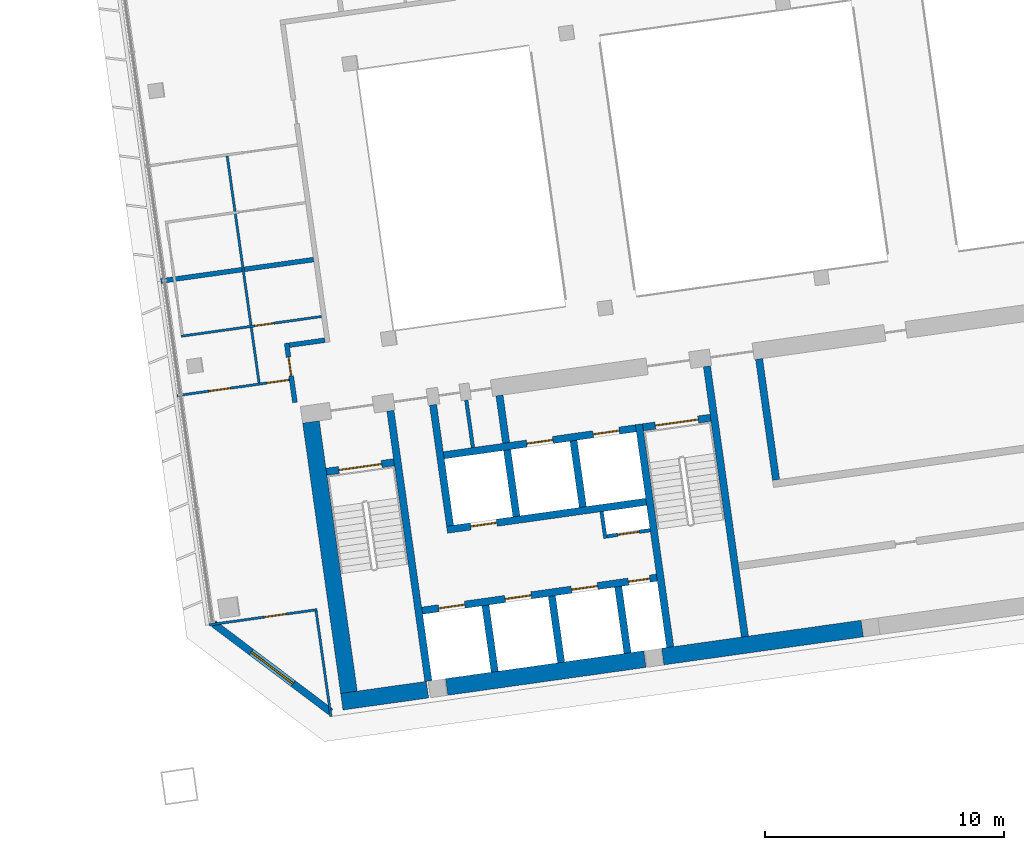
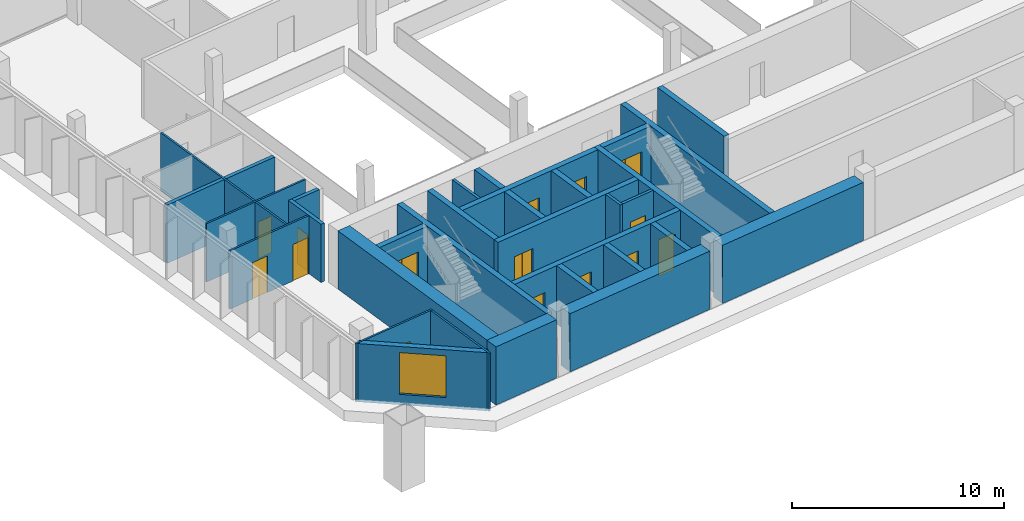
# One storey, part 20 of 26: 32 walls, 15 doors, 1 window, 16 openings.
"""IFC4 building model written with IfcOpenShell, lengths in metres."""

from ifc_helpers import new_model, si_unit, direction, frame, frame_2d, origin, place, context, subcontext, project, spatial, rectangle, extrude, material, layer, layer_set, type_object, element, fill, save


model = new_model("IFC4")

# Units and contexts
model_context = context("Model", 3, precision=1e-05, world=origin(), true_north=direction((0.0, 1.0)))
body_context = subcontext(model_context, "Body", "Model", "MODEL_VIEW")
ifc_project = project(units=[si_unit("LENGTHUNIT", "METRE"), si_unit("AREAUNIT", "SQUARE_METRE"), si_unit("VOLUMEUNIT", "CUBIC_METRE"), si_unit("PLANEANGLEUNIT", "RADIAN"), si_unit("MASSUNIT", "GRAM", prefix="KILO")], contexts=[model_context])

# Site, building, storey
site_placement = place(None, origin())
site = spatial("IfcSite", under=ifc_project, at=site_placement, CompositionType="ELEMENT")
building_placement = place(site_placement, origin())
building = spatial("IfcBuilding", under=site, at=building_placement, Name="Mirante Cascada Hotel Towers", CompositionType="ELEMENT")
storey_placement = place(building_placement, frame((0.0, 0.0, 168.8)))
storey = spatial("IfcBuildingStorey", under=building, at=storey_placement, Name="L39", CompositionType="ELEMENT", Elevation=168.8)

# Walls
ifc_material_1 = material(Name="Fire-rated plasterboard on metal studs")
ifc_layer_1 = layer(ifc_material_1, 0.2)
ifc_layer_set_1 = layer_set([ifc_layer_1], Name="Compartment wall 200 EI 120")
wall_type_1 = type_object("IfcWallType", Name="Compartment wall 200 EI 120", PredefinedType="PARTITIONING", material=ifc_layer_set_1)
wall_1_placement = place(storey_placement, frame((36.5138, -4.518, 0.0), z_axis=(0.0, 0.0, 1.0), x_axis=(-0.9902735, -0.1391343, 0.0)))
element("IfcWall", 1, at=wall_1_placement, inside=storey, type_object=wall_type_1, Name="Wall 2-L39-03", PredefinedType="PARTITIONING", context=body_context, shape_type="SweptSolid", body=[
    extrude(rectangle(XDim=1.5, YDim=0.2, at=frame_2d((0.75, 0.0))), origin(), (0.0, 0.0, 1.0), 3.35),
])
wall_2_placement = place(storey_placement, frame((36.0406, -1.151, 0.0), z_axis=(0.0, 0.0, 1.0), x_axis=(-0.990267, -0.139181, 0.0)))
element("IfcWall", 2, at=wall_2_placement, inside=storey, type_object=wall_type_1, Name="Wall 2-L39-07", PredefinedType="PARTITIONING", context=body_context, shape_type="SweptSolid", body=[
    extrude(rectangle(XDim=6.4377, YDim=0.2, at=frame_2d((3.2189, 0.0))), origin(), (0.0, 0.0, 1.0), 3.35),
])

# Wall, opening, door
wall_3_placement = place(storey_placement, frame((35.2634, -7.1173, 0.0), z_axis=(0.0, 0.0, 1.0), x_axis=(-0.1391586, 0.9902701, 0.0)))
wall_3 = element("IfcWall", 3, at=wall_3_placement, inside=storey, type_object=wall_type_1, Name="Wall 2-L39-28", PredefinedType="PARTITIONING", context=body_context, shape_type="SweptSolid", body=[
    extrude(rectangle(XDim=2.5, YDim=0.2, at=frame_2d((1.25, 0.0))), origin(), (0.0, 0.0, 1.0), 3.35),
])
opening_1_placement = place(wall_3_placement, frame((1.1167, 0.0, 0.0)))
opening_1 = element("IfcOpeningElement", 4, at=opening_1_placement, cuts=wall_3, Name="Opening D2-L39-27", PredefinedType="OPENING", context=body_context, shape_type="SweptSolid", body=[
    extrude(rectangle(XDim=0.8, YDim=2.1, at=frame_2d((0.4, 1.05))), frame((0.0, 0.1, 0.0), z_axis=(0.0, -1.0, 0.0), x_axis=(1.0, 0.0, 0.0)), (0.0, 0.0, 1.0), 0.2),
])
ifc_material_2 = material(Name="Fire-rated timber door leaf", Category="wood")
door_type_1 = type_object("IfcDoorType", Name="Bathroom door DG4 800x2100 EI 60", OperationType="SINGLE_SWING_LEFT", PredefinedType="DOOR", material=ifc_material_2)
door_1_placement = place(opening_1_placement, frame((0.8, 0.0, 0.0), z_axis=(0.0, 0.0, 1.0), x_axis=(-1.0, 0.0, 0.0)))
door_1 = element("IfcDoor", 5, at=door_1_placement, inside=storey, type_object=door_type_1, Name="Door D2-L39-27", OperationType="SINGLE_SWING_RIGHT", OverallHeight=2.1, OverallWidth=0.8, PredefinedType="DOOR", context=body_context, shape_type="SweptSolid", body=[
    extrude(rectangle(XDim=0.8, YDim=2.1, at=frame_2d((0.4, 1.05))), frame((0.0, 0.025, 0.0), z_axis=(0.0, -1.0, 0.0), x_axis=(1.0, 0.0, 0.0)), (0.0, 0.0, 1.0), 0.05),
])
fill(opening_1, door_1)

# Wall
ifc_material_3 = material(Name="Masonry block", Category="masonry")
ifc_layer_2 = layer(ifc_material_3, 0.15)
ifc_layer_set_2 = layer_set([ifc_layer_2], Name="Core room partition 150 block EI 30")
wall_type_2 = type_object("IfcWallType", Name="Core room partition 150 block EI 30", PredefinedType="PARTITIONING", material=ifc_layer_set_2)
wall_4_placement = place(storey_placement, frame((48.2295, -12.793, 0.0), z_axis=(0.0, 0.0, 1.0), x_axis=(-0.1391935, 0.9902652, 0.0)))
element("IfcWall", 6, at=wall_4_placement, inside=storey, type_object=wall_type_2, Name="Core wall partition T2 L39 2", PredefinedType="PARTITIONING", context=body_context, shape_type="SweptSolid", body=[
    extrude(rectangle(XDim=1.1251, YDim=0.15, at=frame_2d((0.5626, 0.0))), origin(), (0.0, 0.0, 1.0), 3.35),
])

# Wall, opening, door
wall_5_placement = place(storey_placement, frame((48.2933, -12.7083, 0.0), z_axis=(0.0, 0.0, 1.0), x_axis=(0.990268, 0.1391734, 0.0)))
wall_5 = element("IfcWall", 7, at=wall_5_placement, inside=storey, type_object=wall_type_2, Name="Core wall partition T2 L39 3", PredefinedType="PARTITIONING", context=body_context, shape_type="SweptSolid", body=[
    extrude(rectangle(XDim=1.8251, YDim=0.15, at=frame_2d((0.9126, 0.0))), origin(), (0.0, 0.0, 1.0), 3.35),
])
opening_2_placement = place(wall_5_placement, frame((0.4625, 0.0, 0.0)))
opening_2 = element("IfcOpeningElement", 8, at=opening_2_placement, cuts=wall_5, Name="Opening D2-39-C17", PredefinedType="OPENING", context=body_context, shape_type="SweptSolid", body=[
    extrude(rectangle(XDim=0.9, YDim=2.1, at=frame_2d((0.45, 1.05))), frame((0.0, 0.075, 0.0), z_axis=(0.0, -1.0, 0.0), x_axis=(1.0, 0.0, 0.0)), (0.0, 0.0, 1.0), 0.15),
])
ifc_material_4 = material(Name="Hollow metal fire door leaf")
door_type_2 = type_object("IfcDoorType", Name="Fire door 900x2100 FD60", OperationType="NOTDEFINED", PredefinedType="DOOR", material=ifc_material_4)
door_2_placement = place(opening_2_placement, frame((0.9, 0.0, 0.0), z_axis=(0.0, 0.0, 1.0), x_axis=(-1.0, 0.0, 0.0)))
door_2 = element("IfcDoor", 9, at=door_2_placement, inside=storey, type_object=door_type_2, Name="Riser door T2 L39 17", OperationType="SINGLE_SWING_RIGHT", OverallHeight=2.1, OverallWidth=0.9, PredefinedType="DOOR", context=body_context, shape_type="SweptSolid", body=[
    extrude(rectangle(XDim=0.9, YDim=2.1, at=frame_2d((0.45, 1.05))), frame((0.0, 0.025, 0.0), z_axis=(0.0, -1.0, 0.0), x_axis=(1.0, 0.0, 0.0)), (0.0, 0.0, 1.0), 0.05),
])
fill(opening_2, door_2)

# Walls
wall_6_placement = place(storey_placement, frame((42.6979, -9.0009, 0.0), z_axis=(0.0, 0.0, 1.0), x_axis=(-0.1391529, 0.9902709, 0.0)))
element("IfcWall", 10, at=wall_6_placement, inside=storey, type_object=wall_type_2, Name="Core wall partition T2 L39 4", PredefinedType="PARTITIONING", context=body_context, shape_type="SweptSolid", body=[
    extrude(rectangle(XDim=2.0, YDim=0.15, at=frame_2d((1.0, 0.0))), origin(), (0.0, 0.0, 1.0), 3.35),
])
ifc_material_5 = material(Name="Masonry block", Category="masonry")
ifc_layer_3 = layer(ifc_material_5, 0.3)
ifc_layer_set_3 = layer_set([ifc_layer_3], Name="Core wall 300 block EI 120")
wall_type_3 = type_object("IfcWallType", Name="Core wall 300 block EI 120", PredefinedType="PARTITIONING", material=ifc_layer_set_3)
wall_7_placement = place(storey_placement, frame((44.0843, -8.8061, 0.0), z_axis=(0.0, 0.0, 1.0), x_axis=(-0.1391951, 0.990265, 0.0)))
element("IfcWall", 11, at=wall_7_placement, inside=storey, type_object=wall_type_3, Name="Core wall partition T2 L39 1", PredefinedType="PARTITIONING", context=body_context, shape_type="SweptSolid", body=[
    extrude(rectangle(XDim=2.0001, YDim=0.3, at=frame_2d((1.0001, 0.0))), origin(), (0.0, 0.0, 1.0), 3.35),
])

# Wall, opening, door
ifc_material_6 = material(Name="Plasterboard on metal studs")
ifc_layer_4 = layer(ifc_material_6, 0.1)
ifc_layer_set_4 = layer_set([ifc_layer_4], Name="Partition 100")
wall_type_4 = type_object("IfcWallType", Name="Partition 100", PredefinedType="PARTITIONING", material=ifc_layer_set_4)
wall_8_placement = place(storey_placement, frame((36.1893, -15.7726, 0.0), z_axis=(0.0, 0.0, 1.0), x_axis=(-0.9902661, -0.1391871, 0.0)))
wall_8 = element("IfcWall", 12, at=wall_8_placement, inside=storey, type_object=wall_type_4, Name="Wall 2-L39-01", PredefinedType="PARTITIONING", context=body_context, shape_type="SweptSolid", body=[
    extrude(rectangle(XDim=4.55, YDim=0.1, at=frame_2d((2.275, 0.0))), origin(), (0.0, 0.0, 1.0), 3.35),
])
opening_3_placement = place(wall_8_placement, frame((1.3249, 0.0, 0.0)))
opening_3 = element("IfcOpeningElement", 13, at=opening_3_placement, cuts=wall_8, Name="Opening D2-L39-01", PredefinedType="OPENING", context=body_context, shape_type="SweptSolid", body=[
    extrude(rectangle(XDim=0.9, YDim=2.1, at=frame_2d((0.45, 1.05))), frame((0.0, 0.05, 0.0), z_axis=(0.0, -1.0, 0.0), x_axis=(1.0, 0.0, 0.0)), (0.0, 0.0, 1.0), 0.1),
])
ifc_material_7 = material(Name="Timber door leaf", Category="wood")
door_type_3 = type_object("IfcDoorType", Name="Room door DG3 900x2100", OperationType="SINGLE_SWING_LEFT", PredefinedType="DOOR", material=ifc_material_7)
door_3_placement = place(opening_3_placement, frame((0.9, 0.0, 0.0), z_axis=(0.0, 0.0, 1.0), x_axis=(-1.0, 0.0, 0.0)))
door_3 = element("IfcDoor", 14, at=door_3_placement, inside=storey, type_object=door_type_3, Name="Door D2-L39-01", OperationType="SINGLE_SWING_RIGHT", OverallHeight=2.1, OverallWidth=0.9, PredefinedType="DOOR", context=body_context, shape_type="SweptSolid", body=[
    extrude(rectangle(XDim=0.9, YDim=2.1, at=frame_2d((0.45, 1.05))), frame((0.0, 0.025, 0.0), z_axis=(0.0, -1.0, 0.0), x_axis=(1.0, 0.0, 0.0)), (0.0, 0.0, 1.0), 0.05),
])
fill(opening_3, door_3)

# Wall, openings, doors
wall_9_placement = place(storey_placement, frame((30.3383, -6.8333, 0.0), z_axis=(0.0, 0.0, 1.0), x_axis=(0.9902665, 0.139184, 0.0)))
wall_9 = element("IfcWall", 15, at=wall_9_placement, inside=storey, type_object=wall_type_4, Name="Wall 2-L39-02", PredefinedType="PARTITIONING", context=body_context, shape_type="SweptSolid", body=[
    extrude(rectangle(XDim=4.7376, YDim=0.1, at=frame_2d((2.3688, 0.0))), origin(), (0.0, 0.0, 1.0), 3.35),
])
opening_4_placement = place(wall_9_placement, frame((1.35, 0.0, 0.0)))
opening_4 = element("IfcOpeningElement", 16, at=opening_4_placement, cuts=wall_9, Name="Opening D2-L39-02", PredefinedType="OPENING", context=body_context, shape_type="SweptSolid", body=[
    extrude(rectangle(XDim=0.9, YDim=2.1, at=frame_2d((0.45, 1.05))), frame((0.0, 0.05, 0.0), z_axis=(0.0, -1.0, 0.0), x_axis=(1.0, 0.0, 0.0)), (0.0, 0.0, 1.0), 0.1),
])
opening_5_placement = place(wall_9_placement, frame((3.7877, 0.0, 0.0)))
opening_5 = element("IfcOpeningElement", 17, at=opening_5_placement, cuts=wall_9, Name="Opening D2-L39-03", PredefinedType="OPENING", context=body_context, shape_type="SweptSolid", body=[
    extrude(rectangle(XDim=0.9, YDim=2.1, at=frame_2d((0.45, 1.05))), frame((0.0, 0.05, 0.0), z_axis=(0.0, -1.0, 0.0), x_axis=(1.0, 0.0, 0.0)), (0.0, 0.0, 1.0), 0.1),
])
door_4_placement = place(opening_4_placement, frame((0.9, 0.0, 0.0), z_axis=(0.0, 0.0, 1.0), x_axis=(-1.0, 0.0, 0.0)))
door_4 = element("IfcDoor", 18, at=door_4_placement, inside=storey, type_object=door_type_3, Name="Door D2-L39-02", OperationType="SINGLE_SWING_RIGHT", OverallHeight=2.1, OverallWidth=0.9, PredefinedType="DOOR", context=body_context, shape_type="SweptSolid", body=[
    extrude(rectangle(XDim=0.9, YDim=2.1, at=frame_2d((0.45, 1.05))), frame((0.0, 0.025, 0.0), z_axis=(0.0, -1.0, 0.0), x_axis=(1.0, 0.0, 0.0)), (0.0, 0.0, 1.0), 0.05),
])
fill(opening_4, door_4)
door_5_placement = place(opening_5_placement, frame((0.9, 0.0, 0.0), z_axis=(0.0, 0.0, 1.0), x_axis=(-1.0, 0.0, 0.0)))
door_5 = element("IfcDoor", 19, at=door_5_placement, inside=storey, type_object=door_type_3, Name="Door D2-L39-03", OperationType="SINGLE_SWING_RIGHT", OverallHeight=2.1, OverallWidth=0.9, PredefinedType="DOOR", context=body_context, shape_type="SweptSolid", body=[
    extrude(rectangle(XDim=0.9, YDim=2.1, at=frame_2d((0.45, 1.05))), frame((0.0, 0.025, 0.0), z_axis=(0.0, -1.0, 0.0), x_axis=(1.0, 0.0, 0.0)), (0.0, 0.0, 1.0), 0.05),
])
fill(opening_5, door_5)

# Wall, opening, door
wall_10_placement = place(storey_placement, frame((30.5135, -4.3514, 0.0), z_axis=(0.0, 0.0, 1.0), x_axis=(0.990269, 0.1391668, 0.0)))
wall_10 = element("IfcWall", 20, at=wall_10_placement, inside=storey, type_object=wall_type_4, Name="Wall 2-L39-06", PredefinedType="PARTITIONING", context=body_context, shape_type="SweptSolid", body=[
    extrude(rectangle(XDim=5.9188, YDim=0.1, at=frame_2d((2.9594, 0.0))), origin(), (0.0, 0.0, 1.0), 3.35),
])
opening_6_placement = place(wall_10_placement, frame((3.1, 0.0, 0.0)))
opening_6 = element("IfcOpeningElement", 21, at=opening_6_placement, cuts=wall_10, Name="Opening D2-L39-05", PredefinedType="OPENING", context=body_context, shape_type="SweptSolid", body=[
    extrude(rectangle(XDim=0.8, YDim=2.1, at=frame_2d((0.4, 1.05))), frame((0.0, 0.05, 0.0), z_axis=(0.0, -1.0, 0.0), x_axis=(1.0, 0.0, 0.0)), (0.0, 0.0, 1.0), 0.1),
])
ifc_material_8 = material(Name="Timber door leaf", Category="wood")
door_type_4 = type_object("IfcDoorType", Name="Bathroom door DG4 800x2100", OperationType="SINGLE_SWING_LEFT", PredefinedType="DOOR", material=ifc_material_8)
door_6_placement = place(opening_6_placement, origin())
door_6 = element("IfcDoor", 22, at=door_6_placement, inside=storey, type_object=door_type_4, Name="Door D2-L39-05", OperationType="SINGLE_SWING_LEFT", OverallHeight=2.1, OverallWidth=0.8, PredefinedType="DOOR", context=body_context, shape_type="SweptSolid", body=[
    extrude(rectangle(XDim=0.8, YDim=2.1, at=frame_2d((0.4, 1.05))), frame((0.0, 0.025, 0.0), z_axis=(0.0, -1.0, 0.0), x_axis=(1.0, 0.0, 0.0)), (0.0, 0.0, 1.0), 0.05),
])
fill(opening_6, door_6)

# Walls
wall_11_placement = place(storey_placement, frame((33.7664, -6.301, 0.0), z_axis=(0.0, 0.0, 1.0), x_axis=(-0.1391717, 0.9902683, 0.0)))
element("IfcWall", 23, at=wall_11_placement, inside=storey, type_object=wall_type_4, Name="Wall 2-L39-26", PredefinedType="PARTITIONING", context=body_context, shape_type="SweptSolid", body=[
    extrude(rectangle(XDim=9.5666, YDim=0.1, at=frame_2d((4.7833, 0.0))), origin(), (0.0, 0.0, 1.0), 3.35),
])
wall_12_placement = place(storey_placement, frame((36.1468, -15.8291, 0.0), z_axis=(0.0, 0.0, 1.0), x_axis=(0.1391684, -0.9902687, 0.0)))
element("IfcWall", 24, at=wall_12_placement, inside=storey, type_object=wall_type_4, Name="Wall 2-L39-27", PredefinedType="PARTITIONING", context=body_context, shape_type="SweptSolid", body=[
    extrude(rectangle(XDim=4.45, YDim=0.1, at=frame_2d((2.225, 0.0))), origin(), (0.0, 0.0, 1.0), 3.35),
])

# Wall, opening, window
ifc_material_9 = material(Name="Precast concrete C40/50", Category="concrete")
ifc_layer_5 = layer(ifc_material_9, 0.3)
ifc_layer_set_5 = layer_set([ifc_layer_5], Name="Precast concrete C40/50 cladding wall 300")
wall_type_5 = type_object("IfcWallType", Name="Precast concrete C40/50 cladding wall 300", PredefinedType="STANDARD", material=ifc_layer_set_5)
wall_13_placement = place(storey_placement, frame((31.873, -16.3608, 0.0), z_axis=(0.0, 0.0, 1.0), x_axis=(0.7986362, -0.6018141, 0.0)))
wall_13 = element("IfcWall", 25, at=wall_13_placement, inside=storey, type_object=wall_type_5, Name="Corner cladding wall T2 L39 inner rear", PredefinedType="STANDARD", context=body_context, shape_type="SweptSolid", body=[
    extrude(rectangle(XDim=6.1157, YDim=0.3, at=frame_2d((3.0578, 0.0))), origin(), (0.0, 0.0, 1.0), 3.35),
])
opening_7_placement = place(wall_13_placement, frame((1.9578, 0.0, 0.6)))
opening_7 = element("IfcOpeningElement", 26, at=opening_7_placement, cuts=wall_13, Name="Opening W2-39-04", PredefinedType="OPENING", context=body_context, shape_type="SweptSolid", body=[
    extrude(rectangle(XDim=2.2, YDim=2.4, at=frame_2d((1.1, 1.2))), frame((0.0, 0.15, 0.0), z_axis=(0.0, -1.0, 0.0), x_axis=(1.0, 0.0, 0.0)), (0.0, 0.0, 1.0), 0.3),
])
ifc_material_10 = material(Name="Aluminium frame with clear double glazing", Category="aluminium")
window_type = type_object("IfcWindowType", Name="Corner suite window 2200x2400", PartitioningType="DOUBLE_PANEL_VERTICAL", PredefinedType="WINDOW", material=ifc_material_10)
window_placement = place(opening_7_placement, origin())
window = element("IfcWindow", 27, at=window_placement, inside=storey, type_object=window_type, Name="Window W2-39-04", OverallHeight=2.4, OverallWidth=2.2, PartitioningType="SINGLE_PANEL", PredefinedType="WINDOW", context=body_context, shape_type="SweptSolid", body=[
    extrude(rectangle(XDim=2.2, YDim=2.4, at=frame_2d((1.1, 1.2))), frame((0.0, 0.03, 0.0), z_axis=(0.0, -1.0, 0.0), x_axis=(1.0, 0.0, 0.0)), (0.0, 0.0, 1.0), 0.06),
])
fill(opening_7, window)

# Walls
ifc_material_11 = material(Name="Concrete C50/60", Category="concrete")
ifc_layer_6 = layer(ifc_material_11, 0.3)
ifc_layer_set_6 = layer_set([ifc_layer_6], Name="RC core wall 300 C50/60")
wall_type_6 = type_object("IfcWallType", Name="RC core wall 300 C50/60", PredefinedType="SHEAR", material=ifc_layer_set_6)
wall_14_placement = place(storey_placement, frame((40.8373, -18.7548, 0.0), z_axis=(0.0, 0.0, 1.0), x_axis=(-0.1391749, 0.9902678, 0.0)))
element("IfcWall", 28, at=wall_14_placement, inside=storey, type_object=wall_type_6, Name="Core wall T2:L39:5", PredefinedType="SHEAR", context=body_context, shape_type="SweptSolid", body=[
    extrude(rectangle(XDim=11.4, YDim=0.3, at=frame_2d((5.7, 0.0))), origin(), (0.0, 0.0, 1.0), 3.35),
])
wall_15_placement = place(storey_placement, frame((50.938, -17.3352, 0.0), z_axis=(0.0, 0.0, 1.0), x_axis=(-0.1391706, 0.9902684, 0.0)))
element("IfcWall", 29, at=wall_15_placement, inside=storey, type_object=wall_type_6, Name="Core wall T2:L39:6", PredefinedType="SHEAR", context=body_context, shape_type="SweptSolid", body=[
    extrude(rectangle(XDim=9.4, YDim=0.3, at=frame_2d((4.7, 0.0))), origin(), (0.0, 0.0, 1.0), 3.35),
])
wall_16_placement = place(storey_placement, frame((54.0574, -16.8968, 0.0), z_axis=(0.0, 0.0, 1.0), x_axis=(-0.1391761, 0.9902677, 0.0)))
element("IfcWall", 30, at=wall_16_placement, inside=storey, type_object=wall_type_6, Name="Core wall T2:L39:7", PredefinedType="SHEAR", context=body_context, shape_type="SweptSolid", body=[
    extrude(rectangle(XDim=11.3999, YDim=0.3, at=frame_2d((5.7, 0.0))), origin(), (0.0, 0.0, 1.0), 3.35),
])

# Wall, opening, door
wall_17_placement = place(storey_placement, frame((36.5791, -10.0123, 0.0), z_axis=(0.0, 0.0, 1.0), x_axis=(0.9902704, 0.1391564, 0.0)))
wall_17 = element("IfcWall", 31, at=wall_17_placement, inside=storey, type_object=wall_type_6, Name="Core wall T2:L39:9", PredefinedType="SHEAR", context=body_context, shape_type="SweptSolid", body=[
    extrude(rectangle(XDim=2.85, YDim=0.3, at=frame_2d((1.425, 0.0))), origin(), (0.0, 0.0, 1.0), 3.35),
])
opening_8_placement = place(wall_17_placement, frame((0.525, 0.0, 0.0)))
opening_8 = element("IfcOpeningElement", 32, at=opening_8_placement, cuts=wall_17, Name="Opening D2-39-C07", PredefinedType="OPENING", context=body_context, shape_type="SweptSolid", body=[
    extrude(rectangle(XDim=1.8, YDim=2.1, at=frame_2d((0.9, 1.05))), frame((0.0, 0.15, 0.0), z_axis=(0.0, -1.0, 0.0), x_axis=(1.0, 0.0, 0.0)), (0.0, 0.0, 1.0), 0.3),
])
ifc_material_12 = material(Name="Hollow metal fire door leaf")
door_type_5 = type_object("IfcDoorType", Name="Double fire door 1800x2100 FD60", OperationType="DOUBLE_DOOR_SINGLE_SWING", PredefinedType="DOOR", material=ifc_material_12)
door_7_placement = place(opening_8_placement, frame((1.8, 0.0, 0.0), z_axis=(0.0, 0.0, 1.0), x_axis=(-1.0, 0.0, 0.0)))
door_7 = element("IfcDoor", 33, at=door_7_placement, inside=storey, type_object=door_type_5, Name="Stair door T2 L39 7", OperationType="DOUBLE_DOOR_SINGLE_SWING", OverallHeight=2.1, OverallWidth=1.8, PredefinedType="DOOR", context=body_context, shape_type="SweptSolid", body=[
    extrude(rectangle(XDim=0.895, YDim=2.1, at=frame_2d((0.4475, 1.05))), frame((0.0, 0.025, 0.0), z_axis=(0.0, -1.0, 0.0), x_axis=(1.0, 0.0, 0.0)), (0.0, 0.0, 1.0), 0.05),
    extrude(rectangle(XDim=0.895, YDim=2.1, at=frame_2d((1.3525, 1.05))), frame((0.0, 0.025, 0.0), z_axis=(0.0, -1.0, 0.0), x_axis=(1.0, 0.0, 0.0)), (0.0, 0.0, 1.0), 0.05),
])
fill(opening_8, door_7)

wall_18_placement = place(storey_placement, frame((49.7992, -8.1544, 0.0), z_axis=(0.0, 0.0, 1.0), x_axis=(0.9902656, 0.1391909, 0.0)))
wall_18 = element("IfcWall", 34, at=wall_18_placement, inside=storey, type_object=wall_type_6, Name="Core wall T2:L39:10", PredefinedType="SHEAR", context=body_context, shape_type="SweptSolid", body=[
    extrude(rectangle(XDim=2.85, YDim=0.3, at=frame_2d((1.425, 0.0))), origin(), (0.0, 0.0, 1.0), 3.35),
])
opening_9_placement = place(wall_18_placement, frame((0.525, 0.0, 0.0)))
opening_9 = element("IfcOpeningElement", 35, at=opening_9_placement, cuts=wall_18, Name="Opening D2-39-C09", PredefinedType="OPENING", context=body_context, shape_type="SweptSolid", body=[
    extrude(rectangle(XDim=1.8, YDim=2.1, at=frame_2d((0.9, 1.05))), frame((0.0, 0.15, 0.0), z_axis=(0.0, -1.0, 0.0), x_axis=(1.0, 0.0, 0.0)), (0.0, 0.0, 1.0), 0.3),
])
door_8_placement = place(opening_9_placement, frame((1.8, 0.0, 0.0), z_axis=(0.0, 0.0, 1.0), x_axis=(-1.0, 0.0, 0.0)))
door_8 = element("IfcDoor", 36, at=door_8_placement, inside=storey, type_object=door_type_5, Name="Stair door T2 L39 9", OperationType="DOUBLE_DOOR_SINGLE_SWING", OverallHeight=2.1, OverallWidth=1.8, PredefinedType="DOOR", context=body_context, shape_type="SweptSolid", body=[
    extrude(rectangle(XDim=0.895, YDim=2.1, at=frame_2d((0.4475, 1.05))), frame((0.0, 0.025, 0.0), z_axis=(0.0, -1.0, 0.0), x_axis=(1.0, 0.0, 0.0)), (0.0, 0.0, 1.0), 0.05),
    extrude(rectangle(XDim=0.895, YDim=2.1, at=frame_2d((1.3525, 1.05))), frame((0.0, 0.025, 0.0), z_axis=(0.0, -1.0, 0.0), x_axis=(1.0, 0.0, 0.0)), (0.0, 0.0, 1.0), 0.05),
])
fill(opening_9, door_8)

# Wall, openings, doors
wall_19_placement = place(storey_placement, frame((40.5753, -15.8126, 0.0), z_axis=(0.0, 0.0, 1.0), x_axis=(0.9902682, 0.1391725, 0.0)))
wall_19 = element("IfcWall", 37, at=wall_19_placement, inside=storey, type_object=wall_type_6, Name="Core wall T2:L39:12", PredefinedType="SHEAR", context=body_context, shape_type="SweptSolid", body=[
    extrude(rectangle(XDim=9.8999, YDim=0.3, at=frame_2d((4.95, 0.0))), origin(), (0.0, 0.0, 1.0), 3.35),
])
opening_10_placement = place(wall_19_placement, frame((0.7, 0.0, 0.0)))
opening_10 = element("IfcOpeningElement", 38, at=opening_10_placement, cuts=wall_19, Name="Opening LD", PredefinedType="OPENING", context=body_context, shape_type="SweptSolid", body=[
    extrude(rectangle(XDim=1.1, YDim=2.1, at=frame_2d((0.55, 1.05))), frame((0.0, 0.15, 0.0), z_axis=(0.0, -1.0, 0.0), x_axis=(1.0, 0.0, 0.0)), (0.0, 0.0, 1.0), 0.3),
])
opening_11_placement = place(wall_19_placement, frame((3.5, 0.0, 0.0)))
opening_11 = element("IfcOpeningElement", 39, at=opening_11_placement, cuts=wall_19, Name="Opening LD", PredefinedType="OPENING", context=body_context, shape_type="SweptSolid", body=[
    extrude(rectangle(XDim=1.1, YDim=2.1, at=frame_2d((0.55, 1.05))), frame((0.0, 0.15, 0.0), z_axis=(0.0, -1.0, 0.0), x_axis=(1.0, 0.0, 0.0)), (0.0, 0.0, 1.0), 0.3),
])
opening_12_placement = place(wall_19_placement, frame((6.3, 0.0, 0.0)))
opening_12 = element("IfcOpeningElement", 40, at=opening_12_placement, cuts=wall_19, Name="Opening LD", PredefinedType="OPENING", context=body_context, shape_type="SweptSolid", body=[
    extrude(rectangle(XDim=1.1, YDim=2.1, at=frame_2d((0.55, 1.05))), frame((0.0, 0.15, 0.0), z_axis=(0.0, -1.0, 0.0), x_axis=(1.0, 0.0, 0.0)), (0.0, 0.0, 1.0), 0.3),
])
opening_13_placement = place(wall_19_placement, frame((8.7, 0.0, 0.0)))
opening_13 = element("IfcOpeningElement", 41, at=opening_13_placement, cuts=wall_19, Name="Opening D2-39-C16", PredefinedType="OPENING", context=body_context, shape_type="SweptSolid", body=[
    extrude(rectangle(XDim=0.9, YDim=2.1, at=frame_2d((0.45, 1.05))), frame((0.0, 0.15, 0.0), z_axis=(0.0, -1.0, 0.0), x_axis=(1.0, 0.0, 0.0)), (0.0, 0.0, 1.0), 0.3),
])
door_9_placement = place(opening_13_placement, frame((0.9, 0.0, 0.0), z_axis=(0.0, 0.0, 1.0), x_axis=(-1.0, 0.0, 0.0)))
door_9 = element("IfcDoor", 42, at=door_9_placement, inside=storey, type_object=door_type_2, Name="Riser door T2 L39 16", OperationType="SINGLE_SWING_RIGHT", OverallHeight=2.1, OverallWidth=0.9, PredefinedType="DOOR", context=body_context, shape_type="SweptSolid", body=[
    extrude(rectangle(XDim=0.9, YDim=2.1, at=frame_2d((0.45, 1.05))), frame((0.0, 0.025, 0.0), z_axis=(0.0, -1.0, 0.0), x_axis=(1.0, 0.0, 0.0)), (0.0, 0.0, 1.0), 0.05),
])
fill(opening_13, door_9)
ifc_material_13 = material(Name="Stainless steel", Category="steel")
door_type_6 = type_object("IfcDoorType", Name="Lift landing door 1100x2100 EI 120", OperationType="DOUBLE_DOOR_SLIDING", PredefinedType="DOOR", material=ifc_material_13)
door_10_placement = place(opening_10_placement, origin())
door_10 = element("IfcDoor", 43, at=door_10_placement, inside=storey, type_object=door_type_6, Name="Lift landing door HR2-1 L39", OperationType="DOUBLE_DOOR_SLIDING", OverallHeight=2.1, OverallWidth=1.1, PredefinedType="DOOR", context=body_context, shape_type="SweptSolid", body=[
    extrude(rectangle(XDim=0.545, YDim=2.1, at=frame_2d((0.2725, 1.05))), frame((0.0, 0.025, 0.0), z_axis=(0.0, -1.0, 0.0), x_axis=(1.0, 0.0, 0.0)), (0.0, 0.0, 1.0), 0.05),
    extrude(rectangle(XDim=0.545, YDim=2.1, at=frame_2d((0.8275, 1.05))), frame((0.0, 0.025, 0.0), z_axis=(0.0, -1.0, 0.0), x_axis=(1.0, 0.0, 0.0)), (0.0, 0.0, 1.0), 0.05),
])
fill(opening_10, door_10)
door_11_placement = place(opening_11_placement, origin())
door_11 = element("IfcDoor", 44, at=door_11_placement, inside=storey, type_object=door_type_6, Name="Lift landing door HR2-2 L39", OperationType="DOUBLE_DOOR_SLIDING", OverallHeight=2.1, OverallWidth=1.1, PredefinedType="DOOR", context=body_context, shape_type="SweptSolid", body=[
    extrude(rectangle(XDim=0.545, YDim=2.1, at=frame_2d((0.2725, 1.05))), frame((0.0, 0.025, 0.0), z_axis=(0.0, -1.0, 0.0), x_axis=(1.0, 0.0, 0.0)), (0.0, 0.0, 1.0), 0.05),
    extrude(rectangle(XDim=0.545, YDim=2.1, at=frame_2d((0.8275, 1.05))), frame((0.0, 0.025, 0.0), z_axis=(0.0, -1.0, 0.0), x_axis=(1.0, 0.0, 0.0)), (0.0, 0.0, 1.0), 0.05),
])
fill(opening_11, door_11)
door_12_placement = place(opening_12_placement, origin())
door_12 = element("IfcDoor", 45, at=door_12_placement, inside=storey, type_object=door_type_6, Name="Lift landing door HR2-3 L39", OperationType="DOUBLE_DOOR_SLIDING", OverallHeight=2.1, OverallWidth=1.1, PredefinedType="DOOR", context=body_context, shape_type="SweptSolid", body=[
    extrude(rectangle(XDim=0.545, YDim=2.1, at=frame_2d((0.2725, 1.05))), frame((0.0, 0.025, 0.0), z_axis=(0.0, -1.0, 0.0), x_axis=(1.0, 0.0, 0.0)), (0.0, 0.0, 1.0), 0.05),
    extrude(rectangle(XDim=0.545, YDim=2.1, at=frame_2d((0.8275, 1.05))), frame((0.0, 0.025, 0.0), z_axis=(0.0, -1.0, 0.0), x_axis=(1.0, 0.0, 0.0)), (0.0, 0.0, 1.0), 0.05),
])
fill(opening_12, door_12)

# Wall, opening, door
wall_20_placement = place(storey_placement, frame((41.6153, -12.435, 0.0), z_axis=(0.0, 0.0, 1.0), x_axis=(0.9902691, 0.139166, 0.0)))
wall_20 = element("IfcWall", 46, at=wall_20_placement, inside=storey, type_object=wall_type_6, Name="Core wall T2:L39:13", PredefinedType="SHEAR", context=body_context, shape_type="SweptSolid", body=[
    extrude(rectangle(XDim=8.4, YDim=0.3, at=frame_2d((4.2, 0.0))), origin(), (0.0, 0.0, 1.0), 3.35),
])
opening_14_placement = place(wall_20_placement, frame((1.0, 0.0, 0.0)))
opening_14 = element("IfcOpeningElement", 47, at=opening_14_placement, cuts=wall_20, Name="Opening LD", PredefinedType="OPENING", context=body_context, shape_type="SweptSolid", body=[
    extrude(rectangle(XDim=1.1, YDim=2.1, at=frame_2d((0.55, 1.05))), frame((0.0, 0.15, 0.0), z_axis=(0.0, -1.0, 0.0), x_axis=(1.0, 0.0, 0.0)), (0.0, 0.0, 1.0), 0.3),
])
door_13_placement = place(opening_14_placement, origin())
door_13 = element("IfcDoor", 48, at=door_13_placement, inside=storey, type_object=door_type_6, Name="Lift landing door HR2-4 L39", OperationType="DOUBLE_DOOR_SLIDING", OverallHeight=2.1, OverallWidth=1.1, PredefinedType="DOOR", context=body_context, shape_type="SweptSolid", body=[
    extrude(rectangle(XDim=0.545, YDim=2.1, at=frame_2d((0.2725, 1.05))), frame((0.0, 0.025, 0.0), z_axis=(0.0, -1.0, 0.0), x_axis=(1.0, 0.0, 0.0)), (0.0, 0.0, 1.0), 0.05),
    extrude(rectangle(XDim=0.545, YDim=2.1, at=frame_2d((0.8275, 1.05))), frame((0.0, 0.025, 0.0), z_axis=(0.0, -1.0, 0.0), x_axis=(1.0, 0.0, 0.0)), (0.0, 0.0, 1.0), 0.05),
])
fill(opening_14, door_13)

# Wall, openings, doors
wall_21_placement = place(storey_placement, frame((41.481, -9.3234, 0.0), z_axis=(0.0, 0.0, 1.0), x_axis=(0.9902679, 0.1391741, 0.0)))
wall_21 = element("IfcWall", 49, at=wall_21_placement, inside=storey, type_object=wall_type_6, Name="Core wall T2:L39:14", PredefinedType="SHEAR", context=body_context, shape_type="SweptSolid", body=[
    extrude(rectangle(XDim=8.0999, YDim=0.3, at=frame_2d((4.05, 0.0))), origin(), (0.0, 0.0, 1.0), 3.35),
])
opening_15_placement = place(wall_21_placement, frame((3.5, 0.0, 0.0)))
opening_15 = element("IfcOpeningElement", 50, at=opening_15_placement, cuts=wall_21, Name="Opening LD", PredefinedType="OPENING", context=body_context, shape_type="SweptSolid", body=[
    extrude(rectangle(XDim=1.1, YDim=2.1, at=frame_2d((0.55, 1.05))), frame((0.0, 0.15, 0.0), z_axis=(0.0, -1.0, 0.0), x_axis=(1.0, 0.0, 0.0)), (0.0, 0.0, 1.0), 0.3),
])
opening_16_placement = place(wall_21_placement, frame((6.3, 0.0, 0.0)))
opening_16 = element("IfcOpeningElement", 51, at=opening_16_placement, cuts=wall_21, Name="Opening LD", PredefinedType="OPENING", context=body_context, shape_type="SweptSolid", body=[
    extrude(rectangle(XDim=1.1, YDim=2.1, at=frame_2d((0.55, 1.05))), frame((0.0, 0.15, 0.0), z_axis=(0.0, -1.0, 0.0), x_axis=(1.0, 0.0, 0.0)), (0.0, 0.0, 1.0), 0.3),
])
door_14_placement = place(opening_15_placement, origin())
door_14 = element("IfcDoor", 52, at=door_14_placement, inside=storey, type_object=door_type_6, Name="Lift landing door FF3 L39", OperationType="DOUBLE_DOOR_SLIDING", OverallHeight=2.1, OverallWidth=1.1, PredefinedType="DOOR", context=body_context, shape_type="SweptSolid", body=[
    extrude(rectangle(XDim=0.545, YDim=2.1, at=frame_2d((0.2725, 1.05))), frame((0.0, 0.025, 0.0), z_axis=(0.0, -1.0, 0.0), x_axis=(1.0, 0.0, 0.0)), (0.0, 0.0, 1.0), 0.05),
    extrude(rectangle(XDim=0.545, YDim=2.1, at=frame_2d((0.8275, 1.05))), frame((0.0, 0.025, 0.0), z_axis=(0.0, -1.0, 0.0), x_axis=(1.0, 0.0, 0.0)), (0.0, 0.0, 1.0), 0.05),
])
fill(opening_15, door_14)
door_15_placement = place(opening_16_placement, origin())
door_15 = element("IfcDoor", 53, at=door_15_placement, inside=storey, type_object=door_type_6, Name="Lift landing door FF4 L39", OperationType="DOUBLE_DOOR_SLIDING", OverallHeight=2.1, OverallWidth=1.1, PredefinedType="DOOR", context=body_context, shape_type="SweptSolid", body=[
    extrude(rectangle(XDim=0.545, YDim=2.1, at=frame_2d((0.2725, 1.05))), frame((0.0, 0.025, 0.0), z_axis=(0.0, -1.0, 0.0), x_axis=(1.0, 0.0, 0.0)), (0.0, 0.0, 1.0), 0.05),
    extrude(rectangle(XDim=0.545, YDim=2.1, at=frame_2d((0.8275, 1.05))), frame((0.0, 0.025, 0.0), z_axis=(0.0, -1.0, 0.0), x_axis=(1.0, 0.0, 0.0)), (0.0, 0.0, 1.0), 0.05),
])
fill(opening_16, door_15)

# Walls
wall_22_placement = place(storey_placement, frame((43.61, -18.3651, 0.0), z_axis=(0.0, 0.0, 1.0), x_axis=(-0.1391459, 0.9902719, 0.0)))
element("IfcWall", 54, at=wall_22_placement, inside=storey, type_object=wall_type_6, Name="Core wall T2:L39:15", PredefinedType="SHEAR", context=body_context, shape_type="SweptSolid", body=[
    extrude(rectangle(XDim=2.7999, YDim=0.3, at=frame_2d((1.4, 0.0))), origin(), (0.0, 0.0, 1.0), 3.35),
])
wall_23_placement = place(storey_placement, frame((46.3828, -17.9754, 0.0), z_axis=(0.0, 0.0, 1.0), x_axis=(-0.139181, 0.990267, 0.0)))
element("IfcWall", 55, at=wall_23_placement, inside=storey, type_object=wall_type_6, Name="Core wall T2:L39:16", PredefinedType="SHEAR", context=body_context, shape_type="SweptSolid", body=[
    extrude(rectangle(XDim=2.8, YDim=0.3, at=frame_2d((1.4, 0.0))), origin(), (0.0, 0.0, 1.0), 3.35),
])
wall_24_placement = place(storey_placement, frame((49.1555, -17.5857, 0.0), z_axis=(0.0, 0.0, 1.0), x_axis=(-0.1391459, 0.9902719, 0.0)))
element("IfcWall", 56, at=wall_24_placement, inside=storey, type_object=wall_type_6, Name="Core wall T2:L39:17", PredefinedType="SHEAR", context=body_context, shape_type="SweptSolid", body=[
    extrude(rectangle(XDim=2.7999, YDim=0.3, at=frame_2d((1.4, 0.0))), origin(), (0.0, 0.0, 1.0), 3.35),
])
for number, where, z_axis, x_axis, name in (
    (57, (44.5157, -11.8759, 0.0), (0.0, 0.0, 1.0), (-0.139181, 0.990267, 0.0), "Core wall T2:L39:18"),
    (58, (47.2885, -11.4862, 0.0), (0.0, 0.0, 1.0), (-0.139181, 0.990267, 0.0), "Core wall T2:L39:19"),
):
    element("IfcWall", number, at=place(storey_placement, frame(where, z_axis=z_axis, x_axis=x_axis)), inside=storey, type_object=wall_type_6, Name=name, PredefinedType="SHEAR", context=body_context, shape_type="SweptSolid", body=[
        extrude(rectangle(XDim=2.8, YDim=0.3, at=frame_2d((1.4, 0.0))), origin(), (0.0, 0.0, 1.0), 3.35),
    ])
for number, where, z_axis, x_axis, name in (
    (59, (41.743, -12.2656, 0.0), (0.0, 0.0, 1.0), (-0.1391755, 0.9902677, 0.0), "Core wall T2:L39:20"),
    (60, (55.3592, -10.352, 0.0), (0.0, 0.0, 1.0), (-0.1391755, 0.9902677, 0.0), "Core wall T2:L39:29"),
):
    element("IfcWall", number, at=place(storey_placement, frame(where, z_axis=z_axis, x_axis=x_axis)), inside=storey, type_object=wall_type_6, Name=name, PredefinedType="SHEAR", context=body_context, shape_type="SweptSolid", body=[
        extrude(rectangle(XDim=5.1, YDim=0.3, at=frame_2d((2.55, 0.0))), origin(), (0.0, 0.0, 1.0), 3.35),
    ])
ifc_material_14 = material(Name="Concrete C50/60", Category="concrete")
ifc_layer_7 = layer(ifc_material_14, 0.7)
ifc_layer_set_7 = layer_set([ifc_layer_7], Name="RC core wall 700 C50/60")
wall_type_7 = type_object("IfcWallType", Name="RC core wall 700 C50/60", PredefinedType="SHEAR", material=ifc_layer_set_7)
wall_25_placement = place(storey_placement, frame((37.222, -19.6163, 0.0), z_axis=(0.0, 0.0, 1.0), x_axis=(0.9902686, 0.1391691, 0.0)))
element("IfcWall", 61, at=wall_25_placement, inside=storey, type_object=wall_type_7, Name="Core wall T2:L39:1.1", PredefinedType="SHEAR", context=body_context, shape_type="SweptSolid", body=[
    extrude(rectangle(XDim=3.6122, YDim=0.7, at=frame_2d((1.8061, 0.0))), origin(), (0.0, 0.0, 1.0), 3.35),
])
wall_26_placement = place(storey_placement, frame((41.6038, -19.0005, 0.0), z_axis=(0.0, 0.0, 1.0), x_axis=(0.9902691, 0.1391659, 0.0)))
element("IfcWall", 62, at=wall_26_placement, inside=storey, type_object=wall_type_7, Name="Core wall T2:L39:1.2", PredefinedType="SHEAR", context=body_context, shape_type="SweptSolid", body=[
    extrude(rectangle(XDim=8.3562, YDim=0.7, at=frame_2d((4.1781, 0.0))), origin(), (0.0, 0.0, 1.0), 3.35),
])
wall_27_placement = place(storey_placement, frame((50.6277, -17.7323, 0.0), z_axis=(0.0, 0.0, 1.0), x_axis=(0.9902681, 0.1391727, 0.0)))
element("IfcWall", 63, at=wall_27_placement, inside=storey, type_object=wall_type_7, Name="Core wall T2:L39:1.3", PredefinedType="SHEAR", context=body_context, shape_type="SweptSolid", body=[
    extrude(rectangle(XDim=8.4126, YDim=0.7, at=frame_2d((4.2063, 0.0))), origin(), (0.0, 0.0, 1.0), 3.35),
])
wall_28_placement = place(storey_placement, frame((37.5199, -19.221, 0.0), z_axis=(0.0, 0.0, 1.0), x_axis=(-0.1391761, 0.9902677, 0.0)))
element("IfcWall", 64, at=wall_28_placement, inside=storey, type_object=wall_type_7, Name="Core wall T2:L39:3", PredefinedType="SHEAR", context=body_context, shape_type="SweptSolid", body=[
    extrude(rectangle(XDim=11.3999, YDim=0.7, at=frame_2d((5.7, 0.0))), origin(), (0.0, 0.0, 1.0), 3.35),
])

save(model, "model.ifc")
